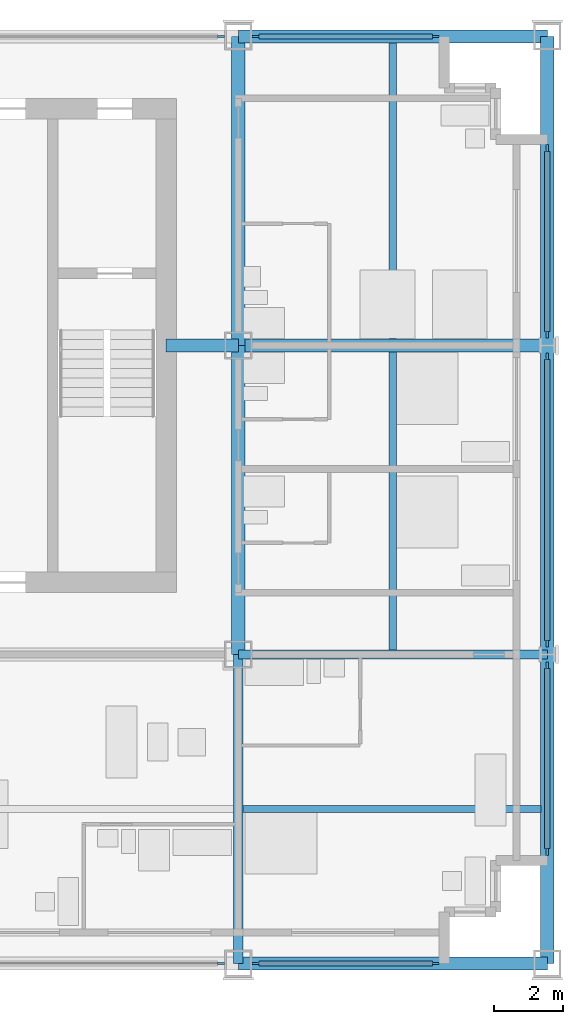
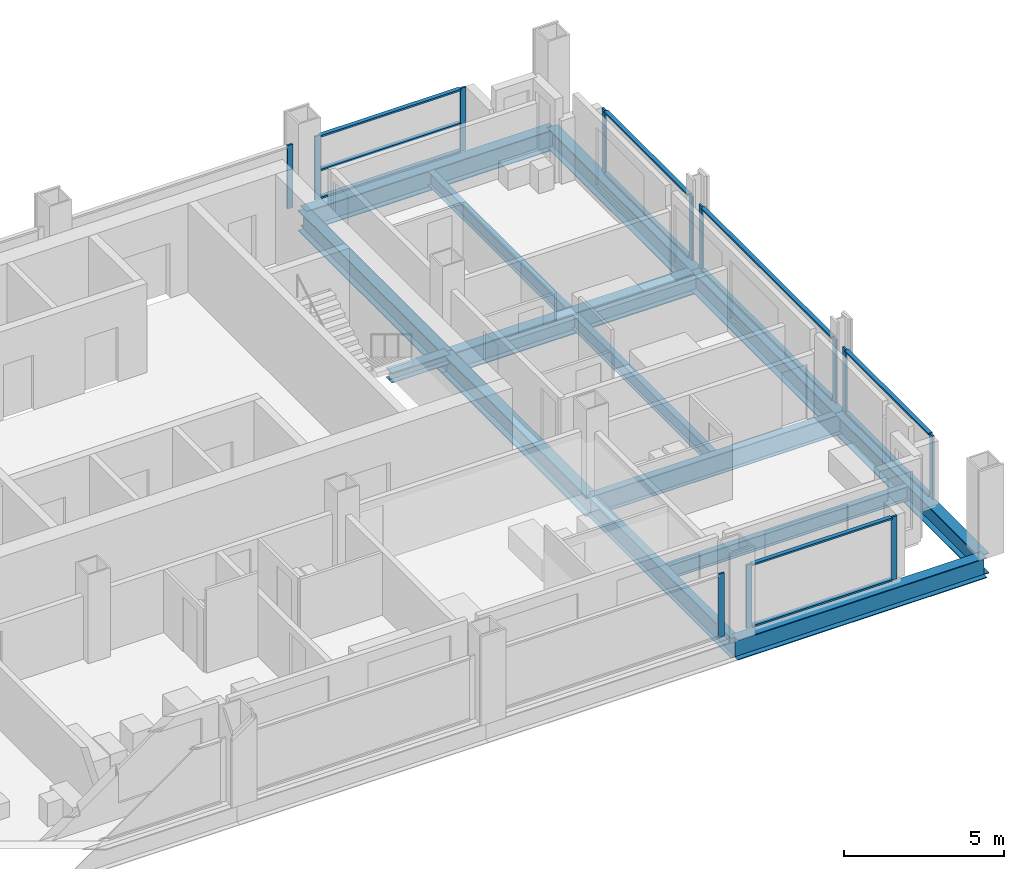
# One storey, part 5 of 13: 24 members, 13 beams, 7 elements without a shape of their own.
"""IFC4 building model written with IfcOpenShell, lengths in metres."""

import ifcopenshell
import ifcopenshell.guid

model = None  # the IFC model being written
_history = None  # IfcOwnerHistory: only IFC2X3 demands one
_inside = {}  # id of a spatial element -> (the spatial element, [elements in it])
_under = {}  # id of a project, library or spatial element -> (it, [spatial elements below it])
_declared = {}  # id of a project -> (the project, [libraries it declares])
_typed = {}  # id of a type object -> (the type object, [elements of that type])
_made_of = {}  # id of a material, layer set ... -> (it, [elements and type objects made of it])


def new_model(schema):
    """Start an empty IFC model of exactly this schema.

    Asked for "IFC4X3", IfcOpenShell would pick the latest addendum, in which some entities
    have other attributes; the version numbers below select the first issue.
    IFC2X3 requires an IfcOwnerHistory on every rooted entity: one is made here for all.
    """
    global model, _history
    if schema == "IFC4X3":
        model = ifcopenshell.file(schema_version=(4, 3, 0, 0))
    else:
        model = ifcopenshell.file(schema=schema)
    _inside.clear()
    _under.clear()
    _declared.clear()
    _typed.clear()
    _made_of.clear()
    _history = None
    if model.schema == "IFC2X3":
        org = make("IfcOrganization", Name="unknown")
        user = make(
            "IfcPersonAndOrganization",
            ThePerson=make("IfcPerson", FamilyName="unknown"),
            TheOrganization=org,
        )
        app = make(
            "IfcApplication",
            ApplicationDeveloper=org,
            Version="unknown",
            ApplicationFullName="unknown",
            ApplicationIdentifier="unknown",
        )
        _history = make(
            "IfcOwnerHistory",
            OwningUser=user,
            OwningApplication=app,
            ChangeAction="ADDED",
            CreationDate=0,
        )
    return model


def make(cls, **values):
    """One entity of the class cls with the attributes given. An attribute that is None is left unset."""
    return model.create_entity(
        cls, **{name: value for name, value in values.items() if value is not None}
    )


def rooted(cls, **values):
    """An entity with a GlobalId (a new one), such as an element, a storey or a relation."""
    return make(cls, GlobalId=ifcopenshell.guid.new(), OwnerHistory=_history, **values)


def si_unit(unit_type, name, prefix=None):
    """IfcSIUnit, for example si_unit("LENGTHUNIT", "METRE", prefix="MILLI")."""
    return make("IfcSIUnit", UnitType=unit_type, Prefix=prefix, Name=name)


def assignment(units):
    """IfcUnitAssignment: the units of a project."""
    return None if units is None else make("IfcUnitAssignment", Units=units)


def point(xyz):
    """IfcCartesianPoint."""
    return None if xyz is None else make("IfcCartesianPoint", Coordinates=xyz)


def direction(xyz):
    """IfcDirection."""
    return None if xyz is None else make("IfcDirection", DirectionRatios=xyz)


def frame(location, z_axis=None, x_axis=None):
    """IfcAxis2Placement3D, a coordinate frame: its origin and axes. An axis left out is left unset."""
    return make(
        "IfcAxis2Placement3D",
        Location=point(location),
        Axis=direction(z_axis),
        RefDirection=direction(x_axis),
    )


def frame_2d(location, x_axis=None):
    """IfcAxis2Placement2D, a coordinate frame in the plane: its origin and x axis."""
    return make(
        "IfcAxis2Placement2D", Location=point(location), RefDirection=direction(x_axis)
    )


def origin():
    """The frame at (0, 0, 0) with its axes left unset."""
    return frame((0.0, 0.0, 0.0))


def origin_2d():
    """The frame at (0, 0) in the plane with its x axis left unset."""
    return frame_2d((0.0, 0.0))


def place(relative_to, where):
    """IfcLocalPlacement: puts the frame where relative to a parent placement (None: the world)."""
    return make(
        "IfcLocalPlacement", PlacementRelTo=relative_to, RelativePlacement=where
    )


def context(
    kind, dimensions, precision=None, world=None, true_north=None, identifier=None
):
    """IfcGeometricRepresentationContext, for example the 3D "Model" context."""
    return make(
        "IfcGeometricRepresentationContext",
        ContextIdentifier=identifier,
        ContextType=kind,
        CoordinateSpaceDimension=dimensions,
        Precision=precision,
        WorldCoordinateSystem=world,
        TrueNorth=true_north,
    )


def subcontext(parent, identifier, kind, view, scale=None):
    """IfcGeometricRepresentationSubContext, for example "Body" below "Model"."""
    return make(
        "IfcGeometricRepresentationSubContext",
        ContextIdentifier=identifier,
        ContextType=kind,
        ParentContext=parent,
        TargetScale=scale,
        TargetView=view,
    )


def project(units=None, contexts=None):
    """IfcProject with its units and contexts."""
    return rooted(
        "IfcProject",
        Name="project",
        RepresentationContexts=contexts,
        UnitsInContext=assignment(units),
    )


def spatial(cls, under=None, at=None, **own):
    """A site, building, storey or space (cls), placed at a placement, below another one or the project."""
    s = rooted(cls, ObjectPlacement=at, **own)
    if under is not None:
        _under.setdefault(under.id(), (under, []))[1].append(s)
    return s


def profile(cls, at=None, kind="AREA", **sizes):
    """A parametric profile (cls). Its sizes go by their IFC names, for example OverallWidth=200.0."""
    return make(cls, ProfileType=kind, Position=at, **sizes)


def rectangle(**sizes):
    """IfcRectangleProfileDef."""
    return profile("IfcRectangleProfileDef", **sizes)


def i_section(**sizes):
    """IfcIShapeProfileDef."""
    return profile("IfcIShapeProfileDef", **sizes)


def extrude(swept, where, along, depth):
    """IfcExtrudedAreaSolid: the profile swept, set in the frame where, extruded along a direction by depth."""
    return make(
        "IfcExtrudedAreaSolid",
        SweptArea=swept,
        Position=where,
        ExtrudedDirection=direction(along),
        Depth=depth,
    )


def shape(context_of_items, identifier, shape_type, items):
    """IfcShapeRepresentation: the items that make up one representation, for example the "Body"."""
    return make(
        "IfcShapeRepresentation",
        ContextOfItems=context_of_items,
        RepresentationIdentifier=identifier,
        RepresentationType=shape_type,
        Items=items,
    )


def material(Name=None, Category=None):
    """IfcMaterial."""
    return make("IfcMaterial", Name=Name, Category=Category)


def material_profile(
    of_material, cross_section, Name=None, Category=None, Priority=None
):
    """IfcMaterialProfile: a cross section and its material."""
    return make(
        "IfcMaterialProfile",
        Name=Name,
        Material=of_material,
        Profile=cross_section,
        Priority=Priority,
        Category=Category,
    )


def profile_set(profiles, Name=None, composite=None):
    """IfcMaterialProfileSet."""
    return make(
        "IfcMaterialProfileSet",
        Name=Name,
        MaterialProfiles=profiles,
        CompositeProfile=composite,
    )


def made_of(thing, what):
    """Note that an element or type object is made of a material, layer set ...; save() writes the relation."""
    if what is not None:
        _made_of.setdefault(what.id(), (what, []))[1].append(thing)
    return thing


def type_object(cls, material=None, **own):
    """A type object (cls), such as IfcWallType, which elements share."""
    return made_of(rooted(cls, **own), material)


def element(
    cls,
    number,
    at=None,
    inside=None,
    cuts=None,
    type_object=None,
    material=None,
    context=None,
    identifier="Body",
    shape_type=None,
    held_by="IfcProductDefinitionShape",
    body=None,
    shapes=None,
    **own,
):
    """One element of the class cls, such as IfcWall. Its Tag is "e" and its number.

    at: its placement. inside: the storey or other place that contains it. cuts: it is an
    opening in that element (IfcRelVoidsElement). A single representation is given by context,
    identifier, shape_type and body (its items); several are given by shapes. held_by: the class
    of the entity that holds the representations. save() writes the other relations.
    """
    e = rooted(cls, Tag="e%d" % number, ObjectPlacement=at, **own)
    if body is not None:
        shapes = [shape(context, identifier, shape_type, body)]
    if shapes is not None:
        e.Representation = make(held_by, Representations=shapes)
    if inside is not None:
        _inside.setdefault(inside.id(), (inside, []))[1].append(e)
    if cuts is not None:
        rooted(
            "IfcRelVoidsElement", RelatingBuildingElement=cuts, RelatedOpeningElement=e
        )
    if type_object is not None:
        _typed.setdefault(type_object.id(), (type_object, []))[1].append(e)
    return made_of(e, material)


def aggregate(whole, parts):
    """IfcRelAggregates: a whole, such as a stair, and the parts it consists of."""
    return rooted("IfcRelAggregates", RelatingObject=whole, RelatedObjects=parts)


def save(model, path):
    """Write the relations noted so far, then the file.

    IfcRelAggregates (storeys below a building ...), IfcRelContainedInSpatialStructure (elements
    in a storey), IfcRelDefinesByType, IfcRelAssociatesMaterial and IfcRelDeclares: one each for
    every whole, place, type object, material and project.
    """
    for whole, parts in _under.values():
        aggregate(whole, parts)
    for where, things in _inside.values():
        rooted(
            "IfcRelContainedInSpatialStructure",
            RelatedElements=things,
            RelatingStructure=where,
        )
    for kind, things in _typed.values():
        rooted("IfcRelDefinesByType", RelatedObjects=things, RelatingType=kind)
    for what, things in _made_of.values():
        rooted("IfcRelAssociatesMaterial", RelatedObjects=things, RelatingMaterial=what)
    for by, libraries in _declared.values():
        rooted("IfcRelDeclares", RelatingContext=by, RelatedDefinitions=libraries)
    model.write(path)


model = new_model("IFC4")

# Units and contexts
model_context = context("Model", 3, precision=1e-05, world=origin(), true_north=direction((0.0, 1.0)))
body_context = subcontext(model_context, "Body", "Model", "MODEL_VIEW")
ifc_project = project(units=[si_unit("LENGTHUNIT", "METRE"), si_unit("AREAUNIT", "SQUARE_METRE"), si_unit("VOLUMEUNIT", "CUBIC_METRE"), si_unit("PLANEANGLEUNIT", "RADIAN"), si_unit("MASSUNIT", "GRAM", prefix="KILO")], contexts=[model_context])

# Site, building, storey
site_placement = place(None, origin())
site = spatial("IfcSite", under=ifc_project, at=site_placement, CompositionType="ELEMENT")
building_placement = place(site_placement, origin())
building = spatial("IfcBuilding", under=site, at=building_placement, Name="Loomwork Tower", CompositionType="ELEMENT")
storey_placement = place(building_placement, frame((0.0, 0.0, 197.800048828125)))
storey = spatial("IfcBuildingStorey", under=building, at=storey_placement, Name="L54", CompositionType="ELEMENT", Elevation=197.800048828125)

# Beams
ifc_material_1 = material(Name="Steel ASTM A992", Category="steel")
ifc_material_profile_1 = material_profile(ifc_material_1, i_section(OverallWidth=0.383544921875, OverallDepth=0.794921875, WebThickness=0.02099609375, FlangeThickness=0.0380859375, at=origin_2d()), Name="W30x235")
ifc_profile_set_1 = profile_set([ifc_material_profile_1], Name="Steel ASTM A992")
beam_type_1 = type_object("IfcBeamType", Name="CORE FLANK GIRDER W30x235", PredefinedType="BEAM", material=ifc_profile_set_1)
for number, where, z_axis, x_axis, name in (
    (1, (36.0, 18.0, -0.59765625), (1.0, 0.0, 0.0), (0.0, 1.0, 0.0), "Core Flank Girder F/6-F/7 L54"),
    (2, (36.0, 9.0, -0.59765625), (0.0, 1.0, 0.0), (-1.0, 0.0, 0.0), "Core Flank Girder E/6-F/6 L54"),
    (3, (36.0, 18.0, -0.59765625), (0.0, 1.0, 0.0), (-1.0, 0.0, 0.0), "Core Flank Girder F/6-G/6 L54"),
):
    element("IfcBeam", number, at=place(storey_placement, frame(where, z_axis=z_axis, x_axis=x_axis)), inside=storey, type_object=beam_type_1, Name=name, PredefinedType="BEAM", context=body_context, shape_type="SweptSolid", body=[
        extrude(i_section(OverallWidth=0.383544921875, OverallDepth=0.794921875, WebThickness=0.02099609375, FlangeThickness=0.0380859375, at=origin_2d()), origin(), (0.0, 0.0, 1.0), 9.0),
    ])

# Member
ifc_material_2 = material(Name="Steel ASTM A992", Category="steel")
ifc_material_profile_2 = material_profile(ifc_material_2, i_section(OverallWidth=0.373291015625, OverallDepth=0.373291015625, WebThickness=0.016357421875, FlangeThickness=0.026123046875, at=origin_2d()), Name="W14x132")
ifc_profile_set_2 = profile_set([ifc_material_profile_2], Name="Steel ASTM A992")
member_type_1 = type_object("IfcMemberType", Name="CORE LINK STRUT W14x132", PredefinedType="STRUT", material=ifc_profile_set_2)
member_1_placement = place(storey_placement, frame((36.0, 18.0, -0.38671875), z_axis=(-1.0, 0.0, 0.0), x_axis=(0.0, -1.0, 0.0)))
element("IfcMember", 4, at=member_1_placement, inside=storey, type_object=member_type_1, Name="Core link strut F/6-33.900,18.000 L54", PredefinedType="STRUT", context=body_context, shape_type="SweptSolid", body=[
    extrude(i_section(OverallWidth=0.373291015625, OverallDepth=0.373291015625, WebThickness=0.016357421875, FlangeThickness=0.026123046875, at=origin_2d()), origin(), (0.0, 0.0, 1.0), 2.10009765625),
])

# Beams
ifc_material_3 = material(Name="Steel ASTM A992", Category="steel")
ifc_material_profile_3 = material_profile(ifc_material_3, i_section(OverallWidth=0.2666015625, OverallDepth=0.761962890625, WebThickness=0.014404296875, FlangeThickness=0.021484375, at=origin_2d()), Name="W30x116")
ifc_profile_set_3 = profile_set([ifc_material_profile_3], Name="Steel ASTM A992")
beam_type_2 = type_object("IfcBeamType", Name="FLOOR GIRDER W30x116", PredefinedType="BEAM", material=ifc_profile_set_3)
for number, where, z_axis, x_axis, name in (
    (5, (36.0, 9.0, -0.5810546875), (1.0, 0.0, 0.0), (0.0, 1.0, 0.0), "Floor Girder E/6-E/7 L54"),
    (6, (36.0, 0.0, -0.5810546875), (0.0, 1.0, 0.0), (-1.0, 0.0, 0.0), "Floor Girder D/6-E/6 L54"),
):
    element("IfcBeam", number, at=place(storey_placement, frame(where, z_axis=z_axis, x_axis=x_axis)), inside=storey, type_object=beam_type_2, Name=name, PredefinedType="BEAM", context=body_context, shape_type="SweptSolid", body=[
        extrude(i_section(OverallWidth=0.2666015625, OverallDepth=0.761962890625, WebThickness=0.014404296875, FlangeThickness=0.021484375, at=origin_2d()), origin(), (0.0, 0.0, 1.0), 9.0),
    ])
ifc_material_4 = material(Name="Steel ASTM A992", Category="steel")
ifc_material_profile_4 = material_profile(ifc_material_4, i_section(OverallWidth=0.2109375, OverallDepth=0.53857421875, WebThickness=0.011474609375, FlangeThickness=0.018798828125, at=origin_2d()), Name="W21x73")
ifc_profile_set_4 = profile_set([ifc_material_profile_4], Name="Steel ASTM A992")
beam_type_3 = type_object("IfcBeamType", Name="FLOOR JOIST W21x73", PredefinedType="JOIST", material=ifc_profile_set_4)
beam_1_placement = place(storey_placement, frame((36.133056640625, 4.5, -0.46923828125), z_axis=(1.0, 0.0, 0.0), x_axis=(0.0, 1.0, 0.0)))
element("IfcBeam", 7, at=beam_1_placement, inside=storey, type_object=beam_type_3, Name="Floor Joist 36.000,4.500-45.000,4.500 L54", PredefinedType="JOIST", context=body_context, shape_type="SweptSolid", body=[
    extrude(i_section(OverallWidth=0.2109375, OverallDepth=0.53857421875, WebThickness=0.011474609375, FlangeThickness=0.018798828125, at=origin_2d()), origin(), (0.0, 0.0, 1.0), 8.677001953125),
])
beam_2_placement = place(storey_placement, frame((40.5, 9.133056640625, -0.46923828125), z_axis=(0.0, 1.0, 0.0), x_axis=(-1.0, 0.0, 0.0)))
element("IfcBeam", 8, at=beam_2_placement, inside=storey, type_object=beam_type_3, Name="Floor Joist 40.500,9.000-40.500,18.000 L54", PredefinedType="JOIST", context=body_context, shape_type="SweptSolid", body=[
    extrude(i_section(OverallWidth=0.2109375, OverallDepth=0.53857421875, WebThickness=0.011474609375, FlangeThickness=0.018798828125, at=origin_2d()), origin(), (0.0, 0.0, 1.0), 8.676025390625),
])
beam_3_placement = place(storey_placement, frame((40.5, 18.19091796875, -0.46923828125), z_axis=(0.0, 1.0, 0.0), x_axis=(-1.0, 0.0, 0.0)))
element("IfcBeam", 9, at=beam_3_placement, inside=storey, type_object=beam_type_3, Name="Floor Joist 40.500,18.000-40.500,27.000 L54", PredefinedType="JOIST", context=body_context, shape_type="SweptSolid", body=[
    extrude(i_section(OverallWidth=0.2109375, OverallDepth=0.53857421875, WebThickness=0.011474609375, FlangeThickness=0.018798828125, at=origin_2d()), origin(), (0.0, 0.0, 1.0), 8.619140625),
])

# Curtain wall, member
ifc_material_5 = material(Name="Aluminium curtain wall frame", Category="aluminium")
curtain_wall_type_1 = type_object("IfcCurtainWallType", Name="Outer skin glazing hotel", PredefinedType="NOTDEFINED", material=ifc_material_5)
curtain_wall_1_placement = place(storey_placement, origin())
curtain_wall_1 = element("IfcCurtainWall", 10, at=curtain_wall_1_placement, inside=storey, type_object=curtain_wall_type_1, Name="Outer skin glazing hotel cw/S-27", PredefinedType="NOTDEFINED")
ifc_material_6 = material(Name="Aluminium curtain wall frame", Category="aluminium")
ifc_material_profile_5 = material_profile(ifc_material_6, rectangle(XDim=0.06494140625, YDim=0.199951171875, at=origin_2d()), Name="AL 65x200")
ifc_profile_set_5 = profile_set([ifc_material_profile_5], Name="Aluminium curtain wall frame")
member_type_2 = type_object("IfcMemberType", Name="Outer skin glazing hotel mullion", PredefinedType="MULLION", material=ifc_profile_set_5)
member_2_placement = place(storey_placement, frame((35.5, 0.0, 0.0), z_axis=(0.0, 0.0, 1.0), x_axis=(0.0, 1.0, 0.0)))
member_2 = element("IfcMember", 11, at=member_2_placement, type_object=member_type_2, Name="CW1 mullion 2", PredefinedType="MULLION", context=body_context, shape_type="SweptSolid", body=[
    extrude(rectangle(XDim=0.06494140625, YDim=0.199951171875, at=origin_2d()), origin(), (0.0, 0.0, 1.0), 2.420166015625),
])
aggregate(curtain_wall_1, [member_2])

# Curtain wall, members
curtain_wall_2_placement = place(storey_placement, origin())
curtain_wall_2 = element("IfcCurtainWall", 12, at=curtain_wall_2_placement, inside=storey, type_object=curtain_wall_type_1, Name="Outer skin glazing hotel cw/S-36", PredefinedType="NOTDEFINED")
member_3_placement = place(storey_placement, frame((36.5, 0.0, 0.0), z_axis=(0.0, 0.0, 1.0), x_axis=(0.0, 1.0, 0.0)))
member_3 = element("IfcMember", 13, at=member_3_placement, type_object=member_type_2, Name="CW1 mullion 1", PredefinedType="MULLION", context=body_context, shape_type="SweptSolid", body=[
    extrude(rectangle(XDim=0.06494140625, YDim=0.199951171875, at=origin_2d()), origin(), (0.0, 0.0, 1.0), 2.420166015625),
])
member_4_placement = place(storey_placement, frame((41.75, 0.0, 0.0), z_axis=(0.0, 0.0, 1.0), x_axis=(0.0, 1.0, 0.0)))
member_4 = element("IfcMember", 14, at=member_4_placement, type_object=member_type_2, Name="CW1 mullion 2", PredefinedType="MULLION", context=body_context, shape_type="SweptSolid", body=[
    extrude(rectangle(XDim=0.06494140625, YDim=0.199951171875, at=origin_2d()), origin(), (0.0, 0.0, 1.0), 2.420166015625),
])

curtain_wall_3_placement = place(storey_placement, origin())
curtain_wall_3 = element("IfcCurtainWall", 15, at=curtain_wall_3_placement, inside=storey, type_object=curtain_wall_type_1, Name="Outer skin glazing hotel cw/E-0", PredefinedType="NOTDEFINED")
member_5_placement = place(storey_placement, frame((45.0, 3.25, 0.0), z_axis=(0.0, 0.0, 1.0), x_axis=(-1.0, 0.0, 0.0)))
member_5 = element("IfcMember", 16, at=member_5_placement, type_object=member_type_2, Name="CW1 mullion 1", PredefinedType="MULLION", context=body_context, shape_type="SweptSolid", body=[
    extrude(rectangle(XDim=0.06494140625, YDim=0.199951171875, at=origin_2d()), origin(), (0.0, 0.0, 1.0), 2.420166015625),
])
member_6_placement = place(storey_placement, frame((45.0, 8.6865234375, 0.0), z_axis=(0.0, 0.0, 1.0), x_axis=(-1.0, 0.0, 0.0)))
member_6 = element("IfcMember", 17, at=member_6_placement, type_object=member_type_2, Name="CW1 mullion 2", PredefinedType="MULLION", context=body_context, shape_type="SweptSolid", body=[
    extrude(rectangle(XDim=0.06494140625, YDim=0.199951171875, at=origin_2d()), origin(), (0.0, 0.0, 1.0), 2.420166015625),
])

curtain_wall_4_placement = place(storey_placement, origin())
curtain_wall_4 = element("IfcCurtainWall", 18, at=curtain_wall_4_placement, inside=storey, type_object=curtain_wall_type_1, Name="Outer skin glazing hotel cw/E-9", PredefinedType="NOTDEFINED")
member_7_placement = place(storey_placement, frame((45.0, 9.3134765625, 0.0), z_axis=(0.0, 0.0, 1.0), x_axis=(-1.0, 0.0, 0.0)))
member_7 = element("IfcMember", 19, at=member_7_placement, type_object=member_type_2, Name="CW1 mullion 1", PredefinedType="MULLION", context=body_context, shape_type="SweptSolid", body=[
    extrude(rectangle(XDim=0.06494140625, YDim=0.199951171875, at=origin_2d()), origin(), (0.0, 0.0, 1.0), 2.420166015625),
])
member_8_placement = place(storey_placement, frame((45.0, 17.6865234375, 0.0), z_axis=(0.0, 0.0, 1.0), x_axis=(-1.0, 0.0, 0.0)))
member_8 = element("IfcMember", 20, at=member_8_placement, type_object=member_type_2, Name="CW1 mullion 2", PredefinedType="MULLION", context=body_context, shape_type="SweptSolid", body=[
    extrude(rectangle(XDim=0.06494140625, YDim=0.199951171875, at=origin_2d()), origin(), (0.0, 0.0, 1.0), 2.420166015625),
])

curtain_wall_5_placement = place(storey_placement, origin())
curtain_wall_5 = element("IfcCurtainWall", 21, at=curtain_wall_5_placement, inside=storey, type_object=curtain_wall_type_1, Name="Outer skin glazing hotel cw/E-18", PredefinedType="NOTDEFINED")
member_9_placement = place(storey_placement, frame((45.0, 18.3134765625, 0.0), z_axis=(0.0, 0.0, 1.0), x_axis=(-1.0, 0.0, 0.0)))
member_9 = element("IfcMember", 22, at=member_9_placement, type_object=member_type_2, Name="CW1 mullion 1", PredefinedType="MULLION", context=body_context, shape_type="SweptSolid", body=[
    extrude(rectangle(XDim=0.06494140625, YDim=0.199951171875, at=origin_2d()), origin(), (0.0, 0.0, 1.0), 2.420166015625),
])
member_10_placement = place(storey_placement, frame((45.0, 23.75, 0.0), z_axis=(0.0, 0.0, 1.0), x_axis=(-1.0, 0.0, 0.0)))
member_10 = element("IfcMember", 23, at=member_10_placement, type_object=member_type_2, Name="CW1 mullion 2", PredefinedType="MULLION", context=body_context, shape_type="SweptSolid", body=[
    extrude(rectangle(XDim=0.06494140625, YDim=0.199951171875, at=origin_2d()), origin(), (0.0, 0.0, 1.0), 2.420166015625),
])

# Member
ifc_material_7 = material(Name="Aluminium curtain wall frame", Category="aluminium")
ifc_material_profile_6 = material_profile(ifc_material_7, rectangle(XDim=0.14990234375, YDim=0.06494140625, at=origin_2d()), Name="AL 65x150")
ifc_profile_set_6 = profile_set([ifc_material_profile_6], Name="Aluminium curtain wall frame")
member_type_3 = type_object("IfcMemberType", Name="Outer skin glazing hotel transom", PredefinedType="USERDEFINED", material=ifc_profile_set_6)
member_11_placement = place(storey_placement, frame((36.60009765625, 0.0, 0.032470703125), z_axis=(1.0, 0.0, 0.0), x_axis=(0.0, 1.0, 0.0)))
member_11 = element("IfcMember", 24, at=member_11_placement, type_object=member_type_3, Name="CW1 transom 1.1", ObjectType="TRANSOM", PredefinedType="USERDEFINED", context=body_context, shape_type="SweptSolid", body=[
    extrude(rectangle(XDim=0.14990234375, YDim=0.06494140625, at=origin_2d()), origin(), (0.0, 0.0, 1.0), 5.0498046875),
])

member_12_placement = place(storey_placement, frame((36.60009765625, 0.0, 2.3876953125), z_axis=(1.0, 0.0, 0.0), x_axis=(0.0, 1.0, 0.0)))
member_12 = element("IfcMember", 25, at=member_12_placement, type_object=member_type_3, Name="CW1 transom 1.2", ObjectType="TRANSOM", PredefinedType="USERDEFINED", context=body_context, shape_type="SweptSolid", body=[
    extrude(rectangle(XDim=0.14990234375, YDim=0.06494140625, at=origin_2d()), origin(), (0.0, 0.0, 1.0), 5.0498046875),
])

aggregate(curtain_wall_2, [member_3, member_4, member_11, member_12])

member_13_placement = place(storey_placement, frame((45.0, 3.35009765625, 0.032470703125), z_axis=(0.0, 1.0, 0.0), x_axis=(-1.0, 0.0, 0.0)))
member_13 = element("IfcMember", 26, at=member_13_placement, type_object=member_type_3, Name="CW1 transom 1.1", ObjectType="TRANSOM", PredefinedType="USERDEFINED", context=body_context, shape_type="SweptSolid", body=[
    extrude(rectangle(XDim=0.14990234375, YDim=0.06494140625, at=origin_2d()), origin(), (0.0, 0.0, 1.0), 5.236572265625),
])

member_14_placement = place(storey_placement, frame((45.0, 3.35009765625, 2.3876953125), z_axis=(0.0, 1.0, 0.0), x_axis=(-1.0, 0.0, 0.0)))
member_14 = element("IfcMember", 27, at=member_14_placement, type_object=member_type_3, Name="CW1 transom 1.2", ObjectType="TRANSOM", PredefinedType="USERDEFINED", context=body_context, shape_type="SweptSolid", body=[
    extrude(rectangle(XDim=0.14990234375, YDim=0.06494140625, at=origin_2d()), origin(), (0.0, 0.0, 1.0), 5.236572265625),
])

aggregate(curtain_wall_3, [member_5, member_6, member_13, member_14])

member_15_placement = place(storey_placement, frame((45.0, 9.413330078125, 0.032470703125), z_axis=(0.0, 1.0, 0.0), x_axis=(-1.0, 0.0, 0.0)))
member_15 = element("IfcMember", 28, at=member_15_placement, type_object=member_type_3, Name="CW1 transom 1.1", ObjectType="TRANSOM", PredefinedType="USERDEFINED", context=body_context, shape_type="SweptSolid", body=[
    extrude(rectangle(XDim=0.14990234375, YDim=0.06494140625, at=origin_2d()), origin(), (0.0, 0.0, 1.0), 8.17333984375),
])

member_16_placement = place(storey_placement, frame((45.0, 9.413330078125, 2.3876953125), z_axis=(0.0, 1.0, 0.0), x_axis=(-1.0, 0.0, 0.0)))
member_16 = element("IfcMember", 29, at=member_16_placement, type_object=member_type_3, Name="CW1 transom 1.2", ObjectType="TRANSOM", PredefinedType="USERDEFINED", context=body_context, shape_type="SweptSolid", body=[
    extrude(rectangle(XDim=0.14990234375, YDim=0.06494140625, at=origin_2d()), origin(), (0.0, 0.0, 1.0), 8.17333984375),
])

aggregate(curtain_wall_4, [member_7, member_8, member_15, member_16])

member_17_placement = place(storey_placement, frame((45.0, 18.413330078125, 0.032470703125), z_axis=(0.0, 1.0, 0.0), x_axis=(-1.0, 0.0, 0.0)))
member_17 = element("IfcMember", 30, at=member_17_placement, type_object=member_type_3, Name="CW1 transom 1.1", ObjectType="TRANSOM", PredefinedType="USERDEFINED", context=body_context, shape_type="SweptSolid", body=[
    extrude(rectangle(XDim=0.14990234375, YDim=0.06494140625, at=origin_2d()), origin(), (0.0, 0.0, 1.0), 5.236572265625),
])

member_18_placement = place(storey_placement, frame((45.0, 18.413330078125, 2.3876953125), z_axis=(0.0, 1.0, 0.0), x_axis=(-1.0, 0.0, 0.0)))
member_18 = element("IfcMember", 31, at=member_18_placement, type_object=member_type_3, Name="CW1 transom 1.2", ObjectType="TRANSOM", PredefinedType="USERDEFINED", context=body_context, shape_type="SweptSolid", body=[
    extrude(rectangle(XDim=0.14990234375, YDim=0.06494140625, at=origin_2d()), origin(), (0.0, 0.0, 1.0), 5.236572265625),
])

aggregate(curtain_wall_5, [member_9, member_10, member_17, member_18])

# Beams
ifc_material_8 = material(Name="Steel ASTM A992", Category="steel")
ifc_material_profile_7 = material_profile(ifc_material_8, i_section(OverallWidth=0.381103515625, OverallDepth=0.77978515625, WebThickness=0.01806640625, FlangeThickness=0.0302734375, at=origin_2d()), Name="W30x191")
ifc_profile_set_7 = profile_set([ifc_material_profile_7], Name="Steel ASTM A992")
beam_type_4 = type_object("IfcBeamType", Name="SPANDREL GIRDER W30x191", PredefinedType="SPANDREL", material=ifc_profile_set_7)
for number, where, z_axis, x_axis, name in (
    (32, (36.0, 0.0, -0.58984375), (1.0, 0.0, 0.0), (0.0, 1.0, 0.0), "Spandrel Girder D/6-D/7 L54"),
    (33, (36.0, 27.0, -0.58984375), (1.0, 0.0, 0.0), (0.0, 1.0, 0.0), "Spandrel Girder G/6-G/7 L54"),
    (34, (45.0, 0.0, -0.58984375), (0.0, 1.0, 0.0), (-1.0, 0.0, 0.0), "Spandrel Girder D/7-E/7 L54"),
    (35, (45.0, 9.0, -0.58984375), (0.0, 1.0, 0.0), (-1.0, 0.0, 0.0), "Spandrel Girder E/7-F/7 L54"),
    (36, (45.0, 18.0, -0.58984375), (0.0, 1.0, 0.0), (-1.0, 0.0, 0.0), "Spandrel Girder F/7-G/7 L54"),
):
    element("IfcBeam", number, at=place(storey_placement, frame(where, z_axis=z_axis, x_axis=x_axis)), inside=storey, type_object=beam_type_4, Name=name, PredefinedType="SPANDREL", context=body_context, shape_type="SweptSolid", body=[
        extrude(i_section(OverallWidth=0.381103515625, OverallDepth=0.77978515625, WebThickness=0.01806640625, FlangeThickness=0.0302734375, at=origin_2d()), origin(), (0.0, 0.0, 1.0), 9.0),
    ])

# Curtain wall, member
ifc_material_9 = material(Name="Aluminium curtain wall frame", Category="aluminium")
curtain_wall_type_2 = type_object("IfcCurtainWallType", Name="Single skin glazing corridor", PredefinedType="NOTDEFINED", material=ifc_material_9)
curtain_wall_6_placement = place(storey_placement, origin())
curtain_wall_6 = element("IfcCurtainWall", 37, at=curtain_wall_6_placement, inside=storey, type_object=curtain_wall_type_2, Name="Single skin glazing corridor cw/N-27", PredefinedType="NOTDEFINED")
ifc_material_10 = material(Name="Aluminium curtain wall frame", Category="aluminium")
ifc_material_profile_8 = material_profile(ifc_material_10, rectangle(XDim=0.06494140625, YDim=0.199951171875, at=origin_2d()), Name="AL 65x200")
ifc_profile_set_8 = profile_set([ifc_material_profile_8], Name="Aluminium curtain wall frame")
member_type_4 = type_object("IfcMemberType", Name="Single skin glazing corridor mullion", PredefinedType="MULLION", material=ifc_profile_set_8)
member_19_placement = place(storey_placement, frame((35.5, 27.0, 0.0), z_axis=(0.0, 0.0, 1.0), x_axis=(0.0, -1.0, 0.0)))
member_19 = element("IfcMember", 38, at=member_19_placement, type_object=member_type_4, Name="CW3 mullion 1", PredefinedType="MULLION", context=body_context, shape_type="SweptSolid", body=[
    extrude(rectangle(XDim=0.06494140625, YDim=0.199951171875, at=origin_2d()), origin(), (0.0, 0.0, 1.0), 2.420166015625),
])
aggregate(curtain_wall_6, [member_19])

# Curtain wall, members
curtain_wall_7_placement = place(storey_placement, origin())
curtain_wall_7 = element("IfcCurtainWall", 39, at=curtain_wall_7_placement, inside=storey, type_object=curtain_wall_type_2, Name="Single skin glazing corridor cw/N-36", PredefinedType="NOTDEFINED")
member_20_placement = place(storey_placement, frame((41.75, 27.0, 0.0), z_axis=(0.0, 0.0, 1.0), x_axis=(0.0, -1.0, 0.0)))
member_20 = element("IfcMember", 40, at=member_20_placement, type_object=member_type_4, Name="CW3 mullion 1", PredefinedType="MULLION", context=body_context, shape_type="SweptSolid", body=[
    extrude(rectangle(XDim=0.06494140625, YDim=0.199951171875, at=origin_2d()), origin(), (0.0, 0.0, 1.0), 2.420166015625),
])
member_21_placement = place(storey_placement, frame((36.5, 27.0, 0.0), z_axis=(0.0, 0.0, 1.0), x_axis=(0.0, -1.0, 0.0)))
member_21 = element("IfcMember", 41, at=member_21_placement, type_object=member_type_4, Name="CW3 mullion 2", PredefinedType="MULLION", context=body_context, shape_type="SweptSolid", body=[
    extrude(rectangle(XDim=0.06494140625, YDim=0.199951171875, at=origin_2d()), origin(), (0.0, 0.0, 1.0), 2.420166015625),
])
ifc_material_11 = material(Name="Aluminium curtain wall frame", Category="aluminium")
ifc_material_profile_9 = material_profile(ifc_material_11, rectangle(XDim=0.14990234375, YDim=0.06494140625, at=origin_2d()), Name="AL 65x150")
ifc_profile_set_9 = profile_set([ifc_material_profile_9], Name="Aluminium curtain wall frame")
member_type_5 = type_object("IfcMemberType", Name="Single skin glazing corridor transom", PredefinedType="USERDEFINED", material=ifc_profile_set_9)
member_22_placement = place(storey_placement, frame((41.64990234375, 27.0, 0.032470703125), z_axis=(-1.0, 0.0, 0.0), x_axis=(0.0, -1.0, 0.0)))
member_22 = element("IfcMember", 42, at=member_22_placement, type_object=member_type_5, Name="CW3 transom 1.1", ObjectType="TRANSOM", PredefinedType="USERDEFINED", context=body_context, shape_type="SweptSolid", body=[
    extrude(rectangle(XDim=0.14990234375, YDim=0.06494140625, at=origin_2d()), origin(), (0.0, 0.0, 1.0), 5.0498046875),
])
member_23_placement = place(storey_placement, frame((41.64990234375, 27.0, 1.099853515625), z_axis=(-1.0, 0.0, 0.0), x_axis=(0.0, -1.0, 0.0)))
member_23 = element("IfcMember", 43, at=member_23_placement, type_object=member_type_5, Name="CW3 transom 1.2", ObjectType="TRANSOM", PredefinedType="USERDEFINED", context=body_context, shape_type="SweptSolid", body=[
    extrude(rectangle(XDim=0.14990234375, YDim=0.06494140625, at=origin_2d()), origin(), (0.0, 0.0, 1.0), 5.0498046875),
])
member_24_placement = place(storey_placement, frame((41.64990234375, 27.0, 2.3876953125), z_axis=(-1.0, 0.0, 0.0), x_axis=(0.0, -1.0, 0.0)))
member_24 = element("IfcMember", 44, at=member_24_placement, type_object=member_type_5, Name="CW3 transom 1.3", ObjectType="TRANSOM", PredefinedType="USERDEFINED", context=body_context, shape_type="SweptSolid", body=[
    extrude(rectangle(XDim=0.14990234375, YDim=0.06494140625, at=origin_2d()), origin(), (0.0, 0.0, 1.0), 5.0498046875),
])
aggregate(curtain_wall_7, [member_20, member_21, member_22, member_23, member_24])

save(model, "model.ifc")
